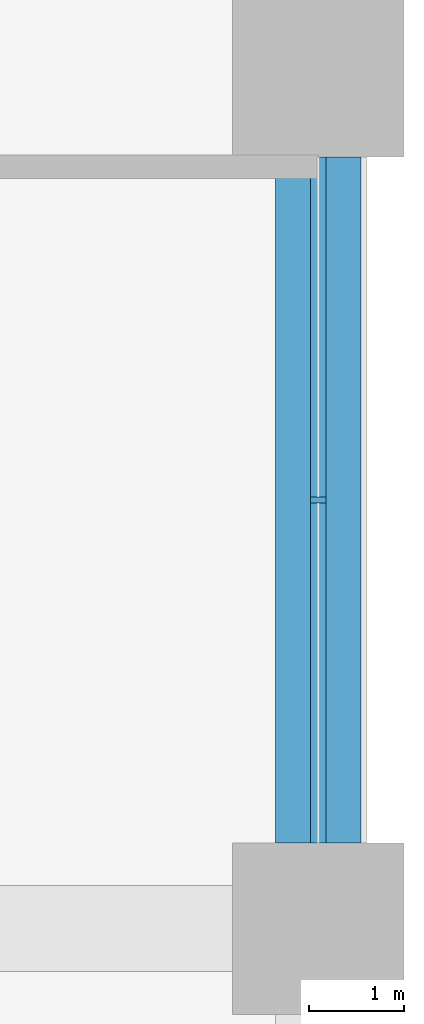
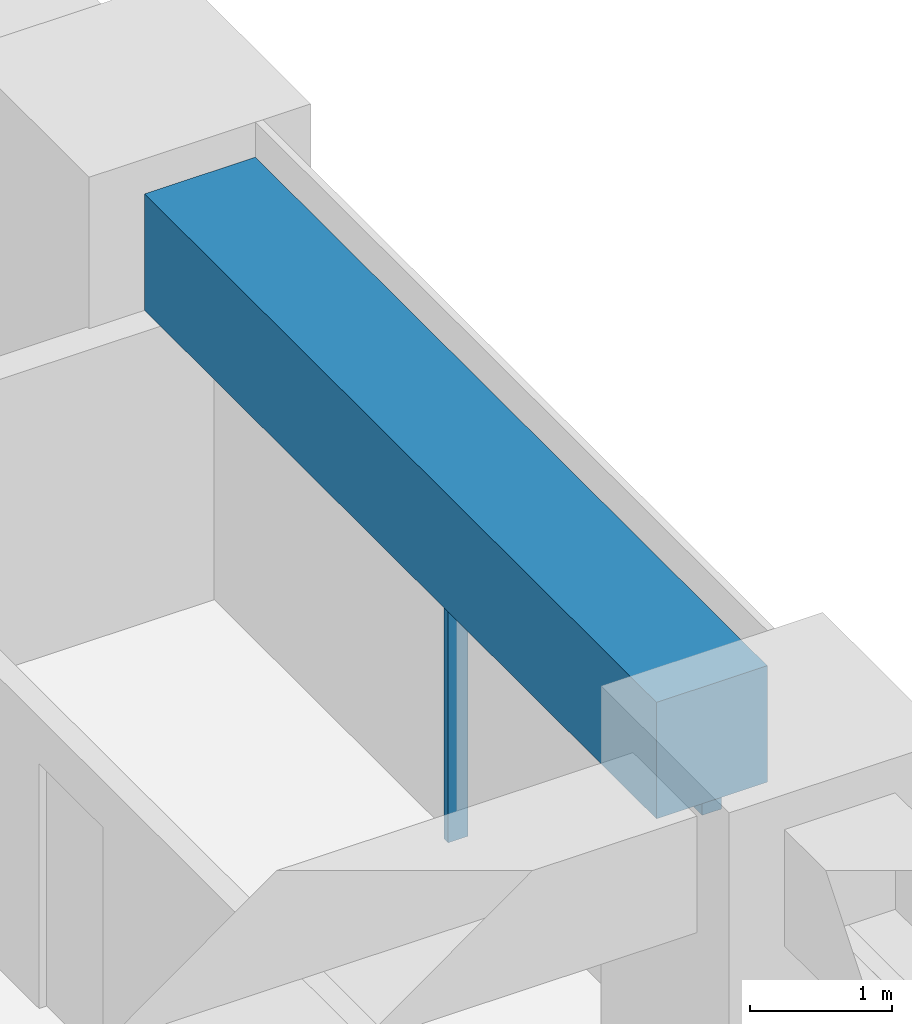
# One storey, part 6 of 19: 2 members, 1 beam, 1 element without a shape of its own.
"""IFC4 building model written with IfcOpenShell, lengths in metres."""

from ifc_helpers import new_model, si_unit, direction, frame, origin, origin_2d, place, context, subcontext, project, spatial, rectangle, extrude, material, material_profile, profile_set, type_object, element, aggregate, save


model = new_model("IFC4")

# Units and contexts
model_context = context("Model", 3, precision=1e-05, world=origin(), true_north=direction((0.0, 1.0)))
body_context = subcontext(model_context, "Body", "Model", "MODEL_VIEW")
ifc_project = project(units=[si_unit("LENGTHUNIT", "METRE"), si_unit("AREAUNIT", "SQUARE_METRE"), si_unit("VOLUMEUNIT", "CUBIC_METRE"), si_unit("PLANEANGLEUNIT", "RADIAN"), si_unit("MASSUNIT", "GRAM", prefix="KILO")], contexts=[model_context])

# Site, building, storey
site_placement = place(None, origin())
site = spatial("IfcSite", under=ifc_project, at=site_placement, CompositionType="ELEMENT")
building_placement = place(site_placement, origin())
building = spatial("IfcBuilding", under=site, at=building_placement, Name="Tessera Arch", CompositionType="ELEMENT")
storey_placement = place(building_placement, frame((0.0, 0.0, 85.39990234375)))
storey = spatial("IfcBuildingStorey", under=building, at=storey_placement, Name="L19", CompositionType="ELEMENT", Elevation=85.39990234375)

# Curtain wall, members
ifc_material_1 = material(Name="CW1 curtain wall")
curtain_wall_type = type_object("IfcCurtainWallType", Name="CW1 curtain wall", PredefinedType="NOTDEFINED", material=ifc_material_1)
curtain_wall_placement = place(storey_placement, origin())
curtain_wall = element("IfcCurtainWall", 1, at=curtain_wall_placement, inside=storey, type_object=curtain_wall_type, Name="CW1 curtain wall E54.0/3 L19", PredefinedType="NOTDEFINED")
ifc_material_2 = material(Name="Anodised aluminium pale metal", Category="aluminium")
ifc_material_profile_1 = material_profile(ifc_material_2, rectangle(XDim=0.159912109375, YDim=0.06005859375, at=origin_2d()), Name="AL 60x160")
ifc_profile_set_1 = profile_set([ifc_material_profile_1], Name="Anodised aluminium pale metal")
member_type_1 = type_object("IfcMemberType", Name="CW1 mullion", PredefinedType="MULLION", material=ifc_profile_set_1)
member_1_placement = place(storey_placement, frame((54.0, 31.5, 0.0), z_axis=(0.0, 0.0, 1.0), x_axis=(-1.0, 0.0, 0.0)))
member_1 = element("IfcMember", 2, at=member_1_placement, type_object=member_type_1, Name="CW1 mullion E54.0/3 1", PredefinedType="MULLION", context=body_context, shape_type="SweptSolid", body=[
    extrude(rectangle(XDim=0.159912109375, YDim=0.06005859375, at=origin_2d()), origin(), (0.0, 0.0, 1.0), 2.400146484375),
])
ifc_material_3 = material(Name="Anodised aluminium pale metal", Category="aluminium")
ifc_material_profile_2 = material_profile(ifc_material_3, rectangle(XDim=0.159912109375, YDim=0.10009765625, at=origin_2d()), Name="AL 160x100")
ifc_profile_set_2 = profile_set([ifc_material_profile_2], Name="Anodised aluminium pale metal")
member_type_2 = type_object("IfcMemberType", Name="CW1 transom", PredefinedType="USERDEFINED", material=ifc_profile_set_2)
member_2_placement = place(storey_placement, frame((54.0, 27.89990234375, 2.4501953125), z_axis=(0.0, 1.0, 0.0), x_axis=(-1.0, 0.0, 0.0)))
member_2 = element("IfcMember", 3, at=member_2_placement, type_object=member_type_2, Name="CW1 transom E54.0/3 1.1", ObjectType="TRANSOM", PredefinedType="USERDEFINED", context=body_context, shape_type="SweptSolid", body=[
    extrude(rectangle(XDim=0.159912109375, YDim=0.10009765625, at=origin_2d()), origin(), (0.0, 0.0, 1.0), 7.2001953125),
])
aggregate(curtain_wall, [member_1, member_2])

# Beam
ifc_material_4 = material(Name="Concrete C80/95", Category="concrete")
ifc_material_profile_3 = material_profile(ifc_material_4, rectangle(XDim=0.89990234375, YDim=1.0, at=origin_2d()), Name="RC spandrel beam 900 x 1000 Concrete C80/95")
ifc_profile_set_3 = profile_set([ifc_material_profile_3], Name="Concrete C80/95")
beam_type = type_object("IfcBeamType", Name="RC spandrel beam 900 x 1000 Concrete C80/95", PredefinedType="BEAM", material=ifc_profile_set_3)
beam_placement = place(storey_placement, frame((54.0, 27.89990234375, 3.0), z_axis=(0.0, 1.0, 0.0), x_axis=(-1.0, 0.0, 0.0)))
element("IfcBeam", 4, at=beam_placement, inside=storey, type_object=beam_type, Name="Spandrel beam L19 E54.0/3", PredefinedType="BEAM", context=body_context, shape_type="SweptSolid", body=[
    extrude(rectangle(XDim=0.89990234375, YDim=1.0, at=origin_2d()), origin(), (0.0, 0.0, 1.0), 7.2001953125),
])

save(model, "model.ifc")
